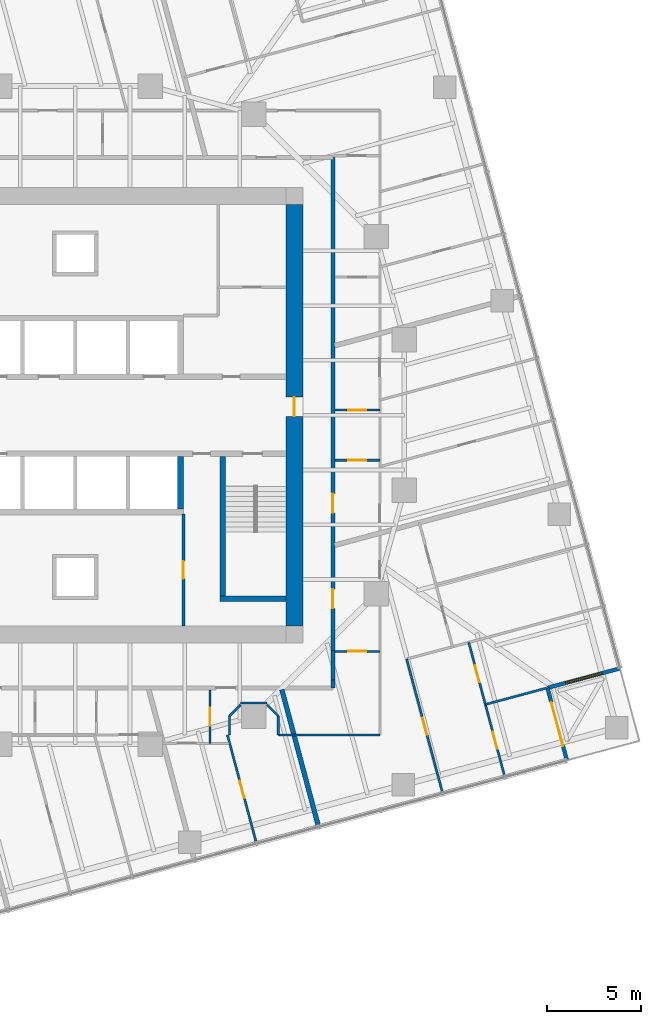
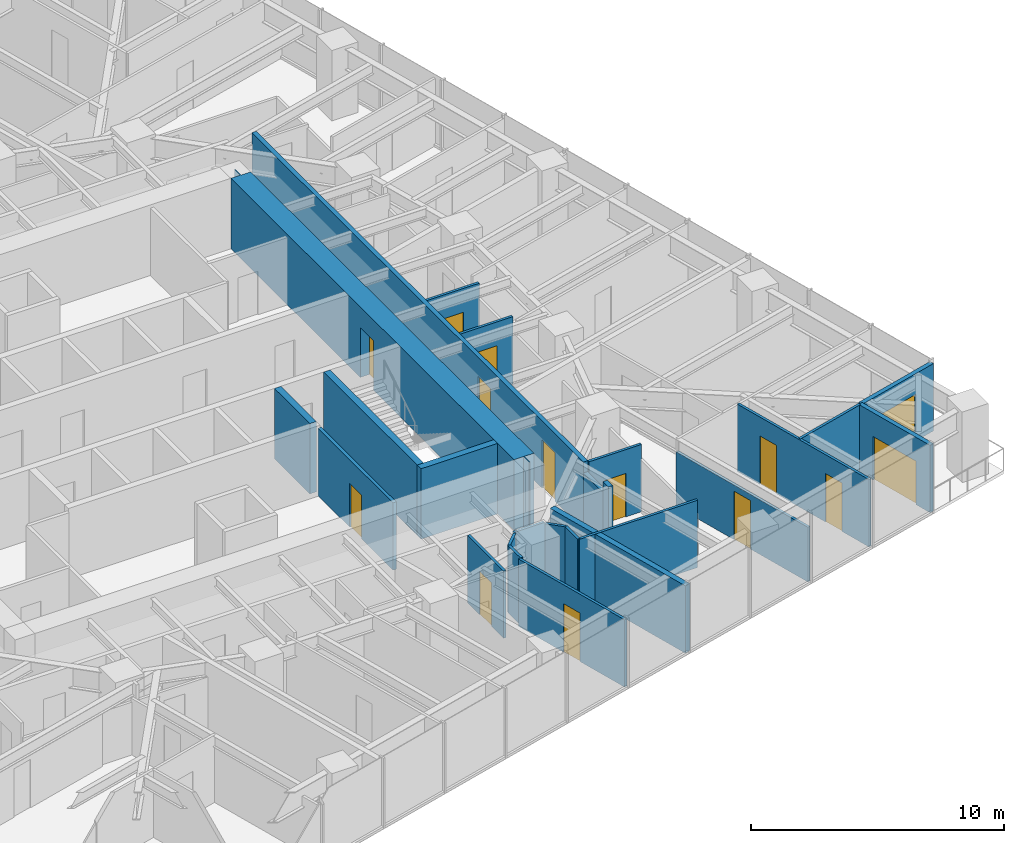
# One storey, part 10 of 14: 25 walls, 13 doors, 1 window, 14 openings.
"""IFC4 building model written with IfcOpenShell, lengths in metres."""

from ifc_helpers import new_model, si_unit, direction, frame, frame_2d, origin, place, context, subcontext, project, spatial, polyline, rectangle, outline, extrude, material, layer, layer_set, type_object, element, fill, save


model = new_model("IFC4")

# Units and contexts
model_context = context("Model", 3, precision=1e-05, world=origin(), true_north=direction((0.0, 1.0)))
body_context = subcontext(model_context, "Body", "Model", "MODEL_VIEW")
ifc_project = project(units=[si_unit("LENGTHUNIT", "METRE"), si_unit("AREAUNIT", "SQUARE_METRE"), si_unit("VOLUMEUNIT", "CUBIC_METRE"), si_unit("PLANEANGLEUNIT", "RADIAN"), si_unit("MASSUNIT", "GRAM", prefix="KILO")], contexts=[model_context])

# Site, building, storey
site_placement = place(None, origin())
site = spatial("IfcSite", under=ifc_project, at=site_placement, CompositionType="ELEMENT")
building_placement = place(site_placement, origin())
building = spatial("IfcBuilding", under=site, at=building_placement, Name="Torsade Residences", CompositionType="ELEMENT")
storey_placement = place(building_placement, frame((0.0, 0.0, 128.60009765625)))
storey = spatial("IfcBuildingStorey", under=building, at=storey_placement, Name="L35", CompositionType="ELEMENT", Elevation=128.60009765625)

# Walls
ifc_material_1 = material(Name="Concrete 80 MPa", Category="concrete")
ifc_layer_1 = layer(ifc_material_1, 0.300048828125)
ifc_layer_set_1 = layer_set([ifc_layer_1], Name="Concrete 80 MPa")
wall_type_1 = type_object("IfcWallType", Name="CORE INTERNAL WALL 300", PredefinedType="SHEAR", material=ifc_layer_set_1)
wall_1_placement = place(storey_placement, frame((45.60009765625, 27.800048828125, 0.0), z_axis=(0.0, 0.0, 1.0), x_axis=(0.0, -1.0, 0.0)))
element("IfcWall", 1, at=wall_1_placement, inside=storey, type_object=wall_type_1, Name="Core wall DS0 L35", PredefinedType="SHEAR", context=body_context, shape_type="SweptSolid", body=[
    extrude(rectangle(XDim=2.800048828125, YDim=0.300048828125, at=frame_2d((1.39990234375, 0.0))), origin(), (0.0, 0.0, 1.0), 3.39990234375),
])
wall_2_placement = place(storey_placement, frame((47.85009765625, 27.800048828125, 0.0), z_axis=(0.0, 0.0, 1.0), x_axis=(0.0, -1.0, 0.0)))
element("IfcWall", 2, at=wall_2_placement, inside=storey, type_object=wall_type_1, Name="Core wall ST2W L35", PredefinedType="SHEAR", context=body_context, shape_type="SweptSolid", body=[
    extrude(rectangle(XDim=7.699951171875, YDim=0.300048828125, at=frame_2d((3.85009765625, 0.0))), origin(), (0.0, 0.0, 1.0), 3.39990234375),
])
wall_3_placement = place(storey_placement, frame((51.199951171875, 20.25, 0.0), z_axis=(0.0, 0.0, 1.0), x_axis=(-1.0, 0.0, 0.0)))
element("IfcWall", 3, at=wall_3_placement, inside=storey, type_object=wall_type_1, Name="Core wall ST2S L35", PredefinedType="SHEAR", context=body_context, shape_type="SweptSolid", body=[
    extrude(rectangle(XDim=3.5, YDim=0.300048828125, at=frame_2d((1.75, 0.0))), origin(), (0.0, 0.0, 1.0), 3.39990234375),
])

# Wall, opening, door
ifc_material_2 = material(Name="Concrete 80 MPa", Category="concrete")
ifc_layer_2 = layer(ifc_material_2, 0.89990234375)
ifc_layer_set_2 = layer_set([ifc_layer_2], Name="Concrete 80 MPa")
wall_type_2 = type_object("IfcWallType", Name="CORE WALL 900", PredefinedType="SHEAR", material=ifc_layer_set_2)
wall_4_placement = place(storey_placement, frame((51.64990234375, 18.800048828125, 0.0), z_axis=(0.0, 0.0, 1.0), x_axis=(0.0, 1.0, 0.0)))
wall_4 = element("IfcWall", 4, at=wall_4_placement, inside=storey, type_object=wall_type_2, Name="Core wall E L35", PredefinedType="SHEAR", context=body_context, shape_type="SweptSolid", body=[
    extrude(outline(polyline([(0.0, -0.449951171875), (22.39990234375, -0.449951171875), (22.39990234375, -0.02490234375), (22.849853515625, -0.02490234375), (22.849853515625, 0.02490234375), (22.39990234375, 0.02490234375), (22.39990234375, 0.449951171875), (0.0, 0.449951171875), (0.0, 0.02490234375), (-0.449951171875, 0.02490234375), (-0.449951171875, -0.02490234375), (0.0, -0.02490234375), (0.0, -0.449951171875)])), origin(), (0.0, 0.0, 1.0), 3.39990234375),
])
opening_1_placement = place(wall_4_placement, frame((11.139892578125, 0.0, 0.0)))
opening_1 = element("IfcOpeningElement", 5, at=opening_1_placement, cuts=wall_4, Name="Opening D04", PredefinedType="OPENING", context=body_context, shape_type="SweptSolid", body=[
    extrude(rectangle(XDim=1.02001953125, YDim=2.39990234375, at=frame_2d((0.510009765625, 1.199951171875))), frame((0.0, 0.4599609375, 0.0), z_axis=(0.0, -1.0, 0.0), x_axis=(1.0, 0.0, 0.0)), (0.0, 0.0, 1.0), 0.919921875),
])
ifc_material_3 = material(Name="Steel-framed fire door", Category="steel")
door_type_1 = type_object("IfcDoorType", Name="LOBBY SMOKE DOOR 1020x2400", OperationType="NOTDEFINED", PredefinedType="DOOR", material=ifc_material_3)
door_1_placement = place(opening_1_placement, origin())
door_1 = element("IfcDoor", 6, at=door_1_placement, inside=storey, type_object=door_type_1, Name="Lift lobby door E L35", OperationType="SINGLE_SWING_LEFT", OverallHeight=2.39990234375, OverallWidth=1.02001953125, PredefinedType="DOOR", context=body_context, shape_type="SweptSolid", body=[
    extrude(rectangle(XDim=1.02001953125, YDim=2.39990234375, at=frame_2d((0.510009765625, 1.199951171875))), frame((0.0, 0.02490234375, 0.0), z_axis=(0.0, -1.0, 0.0), x_axis=(1.0, 0.0, 0.0)), (0.0, 0.0, 1.0), 0.050048828125),
])
fill(opening_1, door_1)

# Walls
ifc_material_4 = material(Name="Plasterboard on steel stud", Category="steel")
ifc_layer_3 = layer(ifc_material_4, 0.199951171875)
ifc_layer_set_3 = layer_set([ifc_layer_3], Name="Plasterboard on steel stud")
wall_type_3 = type_object("IfcWallType", Name="CORRIDOR WALL 200", PredefinedType="PARTITIONING", material=ifc_layer_set_3)
wall_5_placement = place(storey_placement, frame((53.699951171875, 15.5, 0.0), z_axis=(0.0, 0.0, 1.0), x_axis=(0.0, 1.0, 0.0)))
element("IfcWall", 7, at=wall_5_placement, inside=storey, type_object=wall_type_3, Name="Corridor wall L35", PredefinedType="PARTITIONING", context=body_context, shape_type="SweptSolid", body=[
    extrude(rectangle(XDim=0.426025390625, YDim=0.199951171875, at=frame_2d((0.212890625, 0.0))), origin(), (0.0, 0.0, 1.0), 3.25),
])
wall_6_placement = place(storey_placement, frame((53.699951171875, 15.926025390625, 0.0), z_axis=(0.0, 0.0, 1.0), x_axis=(0.0, 1.0, 0.0)))
element("IfcWall", 8, at=wall_6_placement, inside=storey, type_object=wall_type_3, Name="Corridor wall L35", PredefinedType="PARTITIONING", context=body_context, shape_type="SweptSolid", body=[
    extrude(rectangle(XDim=1.553955078125, YDim=0.199951171875, at=frame_2d((0.77685546875, 0.0))), origin(), (0.0, 0.0, 1.0), 2.721923828125),
])

# Wall, openings, doors
wall_7_placement = place(storey_placement, frame((53.699951171875, 17.47998046875, 0.0), z_axis=(0.0, 0.0, 1.0), x_axis=(0.0, 1.0, 0.0)))
wall_7 = element("IfcWall", 9, at=wall_7_placement, inside=storey, type_object=wall_type_3, Name="Corridor wall L35", PredefinedType="PARTITIONING", context=body_context, shape_type="SweptSolid", body=[
    extrude(rectangle(XDim=26.219970703125, YDim=0.199951171875, at=frame_2d((13.10986328125, 0.0))), origin(), (0.0, 0.0, 1.0), 3.25),
])
opening_2_placement = place(wall_7_placement, frame((2.251708984375, 0.0, 0.0)))
opening_2 = element("IfcOpeningElement", 10, at=opening_2_placement, cuts=wall_7, Name="Opening D01", PredefinedType="OPENING", context=body_context, shape_type="SweptSolid", body=[
    extrude(rectangle(XDim=1.02001953125, YDim=2.340087890625, at=frame_2d((0.510009765625, 1.169921875))), frame((0.0, 0.10986328125, 0.0), z_axis=(0.0, -1.0, 0.0), x_axis=(1.0, 0.0, 0.0)), (0.0, 0.0, 1.0), 0.219970703125),
])
opening_3_placement = place(wall_7_placement, frame((7.32763671875, 0.0, 0.0)))
opening_3 = element("IfcOpeningElement", 11, at=opening_3_placement, cuts=wall_7, Name="Opening D01", PredefinedType="OPENING", context=body_context, shape_type="SweptSolid", body=[
    extrude(rectangle(XDim=1.02001953125, YDim=2.340087890625, at=frame_2d((0.510009765625, 1.169921875))), frame((0.0, 0.10986328125, 0.0), z_axis=(0.0, -1.0, 0.0), x_axis=(1.0, 0.0, 0.0)), (0.0, 0.0, 1.0), 0.219970703125),
])
ifc_material_5 = material(Name="Solid-core timber fire door", Category="wood")
door_type_2 = type_object("IfcDoorType", Name="APARTMENT ENTRY DOOR 1020x2340", OperationType="NOTDEFINED", PredefinedType="DOOR", material=ifc_material_5)
door_2_placement = place(opening_2_placement, origin())
door_2 = element("IfcDoor", 12, at=door_2_placement, inside=storey, type_object=door_type_2, Name="Door Residential corridor to Kitchen and dining", OperationType="SINGLE_SWING_LEFT", OverallHeight=2.340087890625, OverallWidth=1.02001953125, PredefinedType="DOOR", context=body_context, shape_type="SweptSolid", body=[
    extrude(rectangle(XDim=1.02001953125, YDim=2.340087890625, at=frame_2d((0.510009765625, 1.169921875))), frame((0.0, 0.02490234375, 0.0), z_axis=(0.0, -1.0, 0.0), x_axis=(1.0, 0.0, 0.0)), (0.0, 0.0, 1.0), 0.050048828125),
])
fill(opening_2, door_2)
door_3_placement = place(opening_3_placement, origin())
door_3 = element("IfcDoor", 13, at=door_3_placement, inside=storey, type_object=door_type_2, Name="Door Residential corridor to Kitchen and dining", OperationType="SINGLE_SWING_LEFT", OverallHeight=2.340087890625, OverallWidth=1.02001953125, PredefinedType="DOOR", context=body_context, shape_type="SweptSolid", body=[
    extrude(rectangle(XDim=1.02001953125, YDim=2.340087890625, at=frame_2d((0.510009765625, 1.169921875))), frame((0.0, 0.02490234375, 0.0), z_axis=(0.0, -1.0, 0.0), x_axis=(1.0, 0.0, 0.0)), (0.0, 0.0, 1.0), 0.050048828125),
])
fill(opening_3, door_3)

# Wall, opening, door
ifc_material_6 = material(Name="Plasterboard on steel stud", Category="steel")
ifc_layer_4 = layer(ifc_material_6, 0.1201171875)
ifc_layer_set_4 = layer_set([ifc_layer_4], Name="Plasterboard on steel stud")
wall_type_4 = type_object("IfcWallType", Name="PARTITION 120", PredefinedType="PARTITIONING", material=ifc_layer_set_4)
wall_8_placement = place(storey_placement, frame((47.1669921875, 12.550048828125, 0.0), z_axis=(0.0, 0.0, 1.0), x_axis=(0.0, 1.0, 0.0)))
wall_8 = element("IfcWall", 14, at=wall_8_placement, inside=storey, type_object=wall_type_4, Name="Partition L35", PredefinedType="PARTITIONING", context=body_context, shape_type="SweptSolid", body=[
    extrude(rectangle(XDim=2.849853515625, YDim=0.1201171875, at=frame_2d((1.4248046875, 0.0))), origin(), (0.0, 0.0, 1.0), 3.25),
])
opening_4_placement = place(wall_8_placement, frame((0.945068359375, 0.0, 0.0)))
opening_4 = element("IfcOpeningElement", 15, at=opening_4_placement, cuts=wall_8, Name="Opening D05", PredefinedType="OPENING", context=body_context, shape_type="SweptSolid", body=[
    extrude(rectangle(XDim=0.9599609375, YDim=2.10009765625, at=frame_2d((0.47998046875, 1.050048828125))), frame((0.0, 0.070068359375, 0.0), z_axis=(0.0, -1.0, 0.0), x_axis=(1.0, 0.0, 0.0)), (0.0, 0.0, 1.0), 0.14013671875),
])
ifc_material_7 = material(Name="Hollow-core timber door in a steel cavity frame", Category="steel")
door_type_3 = type_object("IfcDoorType", Name="BATHROOM CAVITY SLIDING DOOR 960", OperationType="SLIDING_TO_LEFT", PredefinedType="DOOR", material=ifc_material_7)
door_4_placement = place(opening_4_placement, origin())
door_4 = element("IfcDoor", 16, at=door_4_placement, inside=storey, type_object=door_type_3, Name="Door Kitchen and dining to Bathroom", OperationType="SLIDING_TO_LEFT", OverallHeight=2.10009765625, OverallWidth=0.9599609375, PredefinedType="DOOR", context=body_context, shape_type="SweptSolid", body=[
    extrude(rectangle(XDim=0.9599609375, YDim=2.10009765625, at=frame_2d((0.47998046875, 1.050048828125))), frame((0.0, 0.02490234375, 0.0), z_axis=(0.0, -1.0, 0.0), x_axis=(1.0, 0.0, 0.0)), (0.0, 0.0, 1.0), 0.050048828125),
])
fill(opening_4, door_4)

# Walls
wall_9_placement = place(storey_placement, frame((56.199951171875, 13.0, 0.0), z_axis=(0.0, 0.0, 1.0), x_axis=(-1.0, 0.0, 0.0)))
element("IfcWall", 17, at=wall_9_placement, inside=storey, type_object=wall_type_4, Name="Partition L35", PredefinedType="PARTITIONING", context=body_context, shape_type="SweptSolid", body=[
    extrude(rectangle(XDim=5.39990234375, YDim=0.1201171875, at=frame_2d((2.699951171875, 0.0))), origin(), (0.0, 0.0, 1.0), 3.25),
])
wall_10_placement = place(storey_placement, frame((50.800048828125, 13.0, 0.0), z_axis=(0.0, 0.0, 1.0), x_axis=(0.0, 1.0, 0.0)))
element("IfcWall", 18, at=wall_10_placement, inside=storey, type_object=wall_type_4, Name="Partition L35", PredefinedType="PARTITIONING", context=body_context, shape_type="SweptSolid", body=[
    extrude(rectangle(XDim=1.0, YDim=0.1201171875, at=frame_2d((0.5, 0.0))), origin(), (0.0, 0.0, 1.0), 3.25),
])
wall_11_placement = place(storey_placement, frame((50.800048828125, 14.0, 0.0), z_axis=(0.0, 0.0, 1.0), x_axis=(-0.707106781187, 0.707106781187, 0.0)))
element("IfcWall", 19, at=wall_11_placement, inside=storey, type_object=wall_type_4, Name="Partition L35", PredefinedType="PARTITIONING", context=body_context, shape_type="SweptSolid", body=[
    extrude(rectangle(XDim=0.8486328125, YDim=0.1201171875, at=frame_2d((0.42431640625, 0.0))), origin(), (0.0, 0.0, 1.0), 3.25),
])
wall_12_placement = place(storey_placement, frame((50.199951171875, 14.699951171875, 0.0), z_axis=(0.0, 0.0, 1.0), x_axis=(-1.0, 0.0, 0.0)))
element("IfcWall", 20, at=wall_12_placement, inside=storey, type_object=wall_type_4, Name="Partition L35", PredefinedType="PARTITIONING", context=body_context, shape_type="SweptSolid", body=[
    extrude(rectangle(XDim=1.39990234375, YDim=0.1201171875, at=frame_2d((0.699951171875, 0.0))), origin(), (0.0, 0.0, 1.0), 3.25),
])
wall_13_placement = place(storey_placement, frame((48.800048828125, 14.60009765625, 0.0), z_axis=(0.0, 0.0, 1.0), x_axis=(-0.707106781187, -0.707106781187, 0.0)))
element("IfcWall", 21, at=wall_13_placement, inside=storey, type_object=wall_type_4, Name="Partition L35", PredefinedType="PARTITIONING", context=body_context, shape_type="SweptSolid", body=[
    extrude(rectangle(XDim=0.8486328125, YDim=0.1201171875, at=frame_2d((0.42431640625, 0.0))), origin(), (0.0, 0.0, 1.0), 3.25),
])
wall_14_placement = place(storey_placement, frame((48.199951171875, 14.0, 0.0), z_axis=(0.0, 0.0, 1.0), x_axis=(0.0, -1.0, 0.0)))
element("IfcWall", 22, at=wall_14_placement, inside=storey, type_object=wall_type_4, Name="Partition L35", PredefinedType="PARTITIONING", context=body_context, shape_type="SweptSolid", body=[
    extrude(rectangle(XDim=1.0, YDim=0.1201171875, at=frame_2d((0.5, 0.0))), origin(), (0.0, 0.0, 1.0), 3.25),
])

# Wall, opening, door
wall_15_placement = place(storey_placement, frame((48.09228515625, 13.0, 0.0), z_axis=(0.0, 0.0, 1.0), x_axis=(0.258812722515, -0.965927520399, 0.0)))
wall_15 = element("IfcWall", 23, at=wall_15_placement, inside=storey, type_object=wall_type_4, Name="Partition L35", PredefinedType="PARTITIONING", context=body_context, shape_type="SweptSolid", body=[
    extrude(rectangle(XDim=5.94482421875, YDim=0.1201171875, at=frame_2d((2.972412109375, 0.0))), origin(), (0.0, 0.0, 1.0), 3.25),
])
opening_5_placement = place(wall_15_placement, frame((2.532470703125, 0.0, 0.0)))
opening_5 = element("IfcOpeningElement", 24, at=opening_5_placement, cuts=wall_15, Name="Opening D02", PredefinedType="OPENING", context=body_context, shape_type="SweptSolid", body=[
    extrude(rectangle(XDim=0.919921875, YDim=2.340087890625, at=frame_2d((0.4599609375, 1.169921875))), frame((0.0, 0.070068359375, 0.0), z_axis=(0.0, -1.0, 0.0), x_axis=(1.0, 0.0, 0.0)), (0.0, 0.0, 1.0), 0.14013671875),
])
ifc_material_8 = material(Name="Hollow-core timber door", Category="wood")
door_type_4 = type_object("IfcDoorType", Name="INTERNAL DOOR 920x2340", OperationType="NOTDEFINED", PredefinedType="DOOR", material=ifc_material_8)
door_5_placement = place(opening_5_placement, origin())
door_5 = element("IfcDoor", 25, at=door_5_placement, inside=storey, type_object=door_type_4, Name="Door Living room to Bedroom 1", OperationType="SINGLE_SWING_LEFT", OverallHeight=2.340087890625, OverallWidth=0.919921875, PredefinedType="DOOR", context=body_context, shape_type="SweptSolid", body=[
    extrude(rectangle(XDim=0.919921875, YDim=2.340087890625, at=frame_2d((0.4599609375, 1.169921875))), frame((0.0, 0.02490234375, 0.0), z_axis=(0.0, -1.0, 0.0), x_axis=(1.0, 0.0, 0.0)), (0.0, 0.0, 1.0), 0.050048828125),
])
fill(opening_5, door_5)

wall_16_placement = place(storey_placement, frame((56.199951171875, 17.441650390625, 0.0), z_axis=(0.0, 0.0, 1.0), x_axis=(-1.0, 0.0, 0.0)))
wall_16 = element("IfcWall", 26, at=wall_16_placement, inside=storey, type_object=wall_type_4, Name="Partition L35", PredefinedType="PARTITIONING", context=body_context, shape_type="SweptSolid", body=[
    extrude(rectangle(XDim=2.39990234375, YDim=0.1201171875, at=frame_2d((1.199951171875, 0.0))), origin(), (0.0, 0.0, 1.0), 3.25),
])
opening_6_placement = place(wall_16_placement, frame((0.719970703125, 0.0, 0.0)))
opening_6 = element("IfcOpeningElement", 27, at=opening_6_placement, cuts=wall_16, Name="Opening D05", PredefinedType="OPENING", context=body_context, shape_type="SweptSolid", body=[
    extrude(rectangle(XDim=0.9599609375, YDim=2.10009765625, at=frame_2d((0.47998046875, 1.050048828125))), frame((0.0, 0.070068359375, 0.0), z_axis=(0.0, -1.0, 0.0), x_axis=(1.0, 0.0, 0.0)), (0.0, 0.0, 1.0), 0.14013671875),
])
door_6_placement = place(opening_6_placement, origin())
door_6 = element("IfcDoor", 28, at=door_6_placement, inside=storey, type_object=door_type_3, Name="Door Kitchen and dining to Bathroom", OperationType="SLIDING_TO_LEFT", OverallHeight=2.10009765625, OverallWidth=0.9599609375, PredefinedType="DOOR", context=body_context, shape_type="SweptSolid", body=[
    extrude(rectangle(XDim=0.9599609375, YDim=2.10009765625, at=frame_2d((0.47998046875, 1.050048828125))), frame((0.0, 0.02490234375, 0.0), z_axis=(0.0, -1.0, 0.0), x_axis=(1.0, 0.0, 0.0)), (0.0, 0.0, 1.0), 0.050048828125),
])
fill(opening_6, door_6)

wall_17_placement = place(storey_placement, frame((57.62255859375, 17.035888671875, 0.0), z_axis=(0.0, 0.0, 1.0), x_axis=(0.258816044185, -0.965926630377, 0.0)))
wall_17 = element("IfcWall", 29, at=wall_17_placement, inside=storey, type_object=wall_type_4, Name="Partition L35", PredefinedType="PARTITIONING", context=body_context, shape_type="SweptSolid", body=[
    extrude(rectangle(XDim=7.376708984375, YDim=0.1201171875, at=frame_2d((3.6884765625, 0.0))), origin(), (0.0, 0.0, 1.0), 2.637939453125),
])
opening_7_placement = place(wall_17_placement, frame((3.248291015625, 0.0, 0.0)))
opening_7 = element("IfcOpeningElement", 30, at=opening_7_placement, cuts=wall_17, Name="Opening D02", PredefinedType="OPENING", context=body_context, shape_type="SweptSolid", body=[
    extrude(rectangle(XDim=0.919921875, YDim=2.340087890625, at=frame_2d((0.4599609375, 1.169921875))), frame((0.0, 0.070068359375, 0.0), z_axis=(0.0, -1.0, 0.0), x_axis=(1.0, 0.0, 0.0)), (0.0, 0.0, 1.0), 0.14013671875),
])
door_7_placement = place(opening_7_placement, origin())
door_7 = element("IfcDoor", 31, at=door_7_placement, inside=storey, type_object=door_type_4, Name="Door Living room to Bedroom 3", OperationType="SINGLE_SWING_RIGHT", OverallHeight=2.340087890625, OverallWidth=0.919921875, PredefinedType="DOOR", context=body_context, shape_type="SweptSolid", body=[
    extrude(rectangle(XDim=0.919921875, YDim=2.340087890625, at=frame_2d((0.4599609375, 1.169921875))), frame((0.0, 0.02490234375, 0.0), z_axis=(0.0, -1.0, 0.0), x_axis=(1.0, 0.0, 0.0)), (0.0, 0.0, 1.0), 0.050048828125),
])
fill(opening_7, door_7)

# Wall, openings, doors
wall_18_placement = place(storey_placement, frame((60.922607421875, 17.920166015625, 0.0), z_axis=(0.0, 0.0, 1.0), x_axis=(0.258846923464, -0.965918355874, 0.0)))
wall_18 = element("IfcWall", 32, at=wall_18_placement, inside=storey, type_object=wall_type_4, Name="Partition L35", PredefinedType="PARTITIONING", context=body_context, shape_type="SweptSolid", body=[
    extrude(rectangle(XDim=7.376708984375, YDim=0.1201171875, at=frame_2d((3.6884765625, 0.0))), origin(), (0.0, 0.0, 1.0), 3.25),
])
opening_8_placement = place(wall_18_placement, frame((4.931640625, 0.0, 0.0)))
opening_8 = element("IfcOpeningElement", 33, at=opening_8_placement, cuts=wall_18, Name="Opening D02", PredefinedType="OPENING", context=body_context, shape_type="SweptSolid", body=[
    extrude(rectangle(XDim=0.919921875, YDim=2.340087890625, at=frame_2d((0.4599609375, 1.169921875))), frame((0.0, 0.070068359375, 0.0), z_axis=(0.0, -1.0, 0.0), x_axis=(1.0, 0.0, 0.0)), (0.0, 0.0, 1.0), 0.14013671875),
])
opening_9_placement = place(wall_18_placement, frame((1.2734375, 0.0, 0.0)))
opening_9 = element("IfcOpeningElement", 34, at=opening_9_placement, cuts=wall_18, Name="Opening D02", PredefinedType="OPENING", context=body_context, shape_type="SweptSolid", body=[
    extrude(rectangle(XDim=0.919921875, YDim=2.340087890625, at=frame_2d((0.4599609375, 1.169921875))), frame((0.0, 0.070068359375, 0.0), z_axis=(0.0, -1.0, 0.0), x_axis=(1.0, 0.0, 0.0)), (0.0, 0.0, 1.0), 0.14013671875),
])
door_8_placement = place(opening_8_placement, origin())
door_8 = element("IfcDoor", 35, at=door_8_placement, inside=storey, type_object=door_type_4, Name="Door Bedroom 3 to Family room", OperationType="SINGLE_SWING_LEFT", OverallHeight=2.340087890625, OverallWidth=0.919921875, PredefinedType="DOOR", context=body_context, shape_type="SweptSolid", body=[
    extrude(rectangle(XDim=0.919921875, YDim=2.340087890625, at=frame_2d((0.4599609375, 1.169921875))), frame((0.0, 0.02490234375, 0.0), z_axis=(0.0, -1.0, 0.0), x_axis=(1.0, 0.0, 0.0)), (0.0, 0.0, 1.0), 0.050048828125),
])
fill(opening_8, door_8)
door_9_placement = place(opening_9_placement, origin())
door_9 = element("IfcDoor", 36, at=door_9_placement, inside=storey, type_object=door_type_4, Name="Door Bedroom 3 to Study", OperationType="SINGLE_SWING_RIGHT", OverallHeight=2.340087890625, OverallWidth=0.919921875, PredefinedType="DOOR", context=body_context, shape_type="SweptSolid", body=[
    extrude(rectangle(XDim=0.919921875, YDim=2.340087890625, at=frame_2d((0.4599609375, 1.169921875))), frame((0.0, 0.02490234375, 0.0), z_axis=(0.0, -1.0, 0.0), x_axis=(1.0, 0.0, 0.0)), (0.0, 0.0, 1.0), 0.050048828125),
])
fill(opening_9, door_9)

# Wall
wall_19_placement = place(storey_placement, frame((65.068603515625, 15.493896484375, 0.0), z_axis=(0.0, 0.0, 1.0), x_axis=(-0.96593546512, -0.258783069815, 0.0)))
element("IfcWall", 37, at=wall_19_placement, inside=storey, type_object=wall_type_4, Name="Partition L35", PredefinedType="PARTITIONING", context=body_context, shape_type="SweptSolid", body=[
    extrude(rectangle(XDim=3.37646484375, YDim=0.1201171875, at=frame_2d((1.688232421875, 0.0))), origin(), (0.0, 0.0, 1.0), 3.25),
])

# Wall, opening, door
wall_20_placement = place(storey_placement, frame((53.800048828125, 27.611083984375, 0.0), z_axis=(0.0, 0.0, 1.0), x_axis=(1.0, 0.0, 0.0)))
wall_20 = element("IfcWall", 38, at=wall_20_placement, inside=storey, type_object=wall_type_4, Name="Partition L35", PredefinedType="PARTITIONING", context=body_context, shape_type="SweptSolid", body=[
    extrude(rectangle(XDim=2.39990234375, YDim=0.1201171875, at=frame_2d((1.199951171875, 0.0))), origin(), (0.0, 0.0, 1.0), 3.25),
])
opening_10_placement = place(wall_20_placement, frame((0.719970703125, 0.0, 0.0)))
opening_10 = element("IfcOpeningElement", 39, at=opening_10_placement, cuts=wall_20, Name="Opening D05", PredefinedType="OPENING", context=body_context, shape_type="SweptSolid", body=[
    extrude(rectangle(XDim=0.9599609375, YDim=2.10009765625, at=frame_2d((0.47998046875, 1.050048828125))), frame((0.0, 0.070068359375, 0.0), z_axis=(0.0, -1.0, 0.0), x_axis=(1.0, 0.0, 0.0)), (0.0, 0.0, 1.0), 0.14013671875),
])
door_10_placement = place(opening_10_placement, origin())
door_10 = element("IfcDoor", 40, at=door_10_placement, inside=storey, type_object=door_type_3, Name="Door Kitchen and dining to Ensuite", OperationType="SLIDING_TO_LEFT", OverallHeight=2.10009765625, OverallWidth=0.9599609375, PredefinedType="DOOR", context=body_context, shape_type="SweptSolid", body=[
    extrude(rectangle(XDim=0.9599609375, YDim=2.10009765625, at=frame_2d((0.47998046875, 1.050048828125))), frame((0.0, 0.02490234375, 0.0), z_axis=(0.0, -1.0, 0.0), x_axis=(1.0, 0.0, 0.0)), (0.0, 0.0, 1.0), 0.050048828125),
])
fill(opening_10, door_10)

wall_21_placement = place(storey_placement, frame((56.199951171875, 30.272216796875, 0.0), z_axis=(0.0, 0.0, 1.0), x_axis=(-1.0, 0.0, 0.0)))
wall_21 = element("IfcWall", 41, at=wall_21_placement, inside=storey, type_object=wall_type_4, Name="Partition L35", PredefinedType="PARTITIONING", context=body_context, shape_type="SweptSolid", body=[
    extrude(rectangle(XDim=2.39990234375, YDim=0.1201171875, at=frame_2d((1.199951171875, 0.0))), origin(), (0.0, 0.0, 1.0), 3.25),
])
opening_11_placement = place(wall_21_placement, frame((0.719970703125, 0.0, 0.0)))
opening_11 = element("IfcOpeningElement", 42, at=opening_11_placement, cuts=wall_21, Name="Opening D05", PredefinedType="OPENING", context=body_context, shape_type="SweptSolid", body=[
    extrude(rectangle(XDim=0.9599609375, YDim=2.10009765625, at=frame_2d((0.47998046875, 1.050048828125))), frame((0.0, 0.070068359375, 0.0), z_axis=(0.0, -1.0, 0.0), x_axis=(1.0, 0.0, 0.0)), (0.0, 0.0, 1.0), 0.14013671875),
])
door_11_placement = place(opening_11_placement, origin())
door_11 = element("IfcDoor", 43, at=door_11_placement, inside=storey, type_object=door_type_3, Name="Door Ensuite to Bathroom", OperationType="SLIDING_TO_LEFT", OverallHeight=2.10009765625, OverallWidth=0.9599609375, PredefinedType="DOOR", context=body_context, shape_type="SweptSolid", body=[
    extrude(rectangle(XDim=0.9599609375, YDim=2.10009765625, at=frame_2d((0.47998046875, 1.050048828125))), frame((0.0, 0.02490234375, 0.0), z_axis=(0.0, -1.0, 0.0), x_axis=(1.0, 0.0, 0.0)), (0.0, 0.0, 1.0), 0.050048828125),
])
fill(opening_11, door_11)

# Wall
ifc_material_9 = material(Name="Masonry-lined stud party wall", Category="masonry")
ifc_layer_5 = layer(ifc_material_9, 0.25)
ifc_layer_set_5 = layer_set([ifc_layer_5], Name="Masonry-lined stud party wall")
wall_type_5 = type_object("IfcWallType", Name="PARTY WALL 250", PredefinedType="PARTITIONING", material=ifc_layer_set_5)
wall_22_placement = place(storey_placement, frame((52.941650390625, 8.103515625, 0.0), z_axis=(0.0, 0.0, 1.0), x_axis=(-0.258822171171, 0.965924988656, 0.0)))
element("IfcWall", 44, at=wall_22_placement, inside=storey, type_object=wall_type_5, Name="Party wall L35", PredefinedType="PARTITIONING", context=body_context, shape_type="SweptSolid", body=[
    extrude(rectangle(XDim=7.560302734375, YDim=0.25, at=frame_2d((3.7802734375, 0.0))), origin(), (0.0, 0.0, 1.0), 3.25),
])

# Wall, opening, door
ifc_material_10 = material(Name="Reinforced blockwork", Category="masonry")
ifc_layer_6 = layer(ifc_material_10, 0.14990234375)
ifc_layer_set_6 = layer_set([ifc_layer_6], Name="Reinforced blockwork")
wall_type_6 = type_object("IfcWallType", Name="SERVICE ROOM WALL 150", PredefinedType="SOLIDWALL", material=ifc_layer_set_6)
wall_23_placement = place(storey_placement, frame((45.75, 18.800048828125, 0.0), z_axis=(0.0, 0.0, 1.0), x_axis=(0.0, 1.0, 0.0)))
wall_23 = element("IfcWall", 45, at=wall_23_placement, inside=storey, type_object=wall_type_6, Name="Service room wall L35", PredefinedType="SOLIDWALL", context=body_context, shape_type="SweptSolid", body=[
    extrude(rectangle(XDim=5.949951171875, YDim=0.14990234375, at=frame_2d((2.97509765625, 0.0))), origin(), (0.0, 0.0, 1.0), 3.25),
])
opening_12_placement = place(wall_23_placement, frame((2.514892578125, 0.0, 0.0)))
opening_12 = element("IfcOpeningElement", 46, at=opening_12_placement, cuts=wall_23, Name="Opening D06", PredefinedType="OPENING", context=body_context, shape_type="SweptSolid", body=[
    extrude(rectangle(XDim=0.919921875, YDim=2.10009765625, at=frame_2d((0.4599609375, 1.050048828125))), frame((0.0, 0.0849609375, 0.0), z_axis=(0.0, -1.0, 0.0), x_axis=(1.0, 0.0, 0.0)), (0.0, 0.0, 1.0), 0.169921875),
])
ifc_material_11 = material(Name="Steel-framed fire door", Category="steel")
door_type_5 = type_object("IfcDoorType", Name="FIRE DOOR 920", OperationType="NOTDEFINED", PredefinedType="DOOR", material=ifc_material_11)
door_12_placement = place(opening_12_placement, origin())
door_12 = element("IfcDoor", 47, at=door_12_placement, inside=storey, type_object=door_type_5, Name="Door Security and data store to Communications riser room", OperationType="SINGLE_SWING_RIGHT", OverallHeight=2.10009765625, OverallWidth=0.919921875, PredefinedType="DOOR", context=body_context, shape_type="SweptSolid", body=[
    extrude(rectangle(XDim=0.919921875, YDim=2.10009765625, at=frame_2d((0.4599609375, 1.050048828125))), frame((0.0, 0.02490234375, 0.0), z_axis=(0.0, -1.0, 0.0), x_axis=(1.0, 0.0, 0.0)), (0.0, 0.0, 1.0), 0.050048828125),
])
fill(opening_12, door_12)

ifc_material_12 = material(Name="Stone-faced precast concrete 40 MPa panel", Category="masonry")
ifc_layer_7 = layer(ifc_material_12, 0.199951171875)
ifc_layer_set_7 = layer_set([ifc_layer_7], Name="Stone-faced precast concrete 40 MPa panel")
wall_type_7 = type_object("IfcWallType", Name="TERRACE WALL 200", PredefinedType="SOLIDWALL", material=ifc_layer_set_7)
wall_24_placement = place(storey_placement, frame((66.142578125, 11.640625, 0.0), z_axis=(0.0, 0.0, 1.0), x_axis=(-0.258843877716, 0.965919172068, 0.0)))
wall_24 = element("IfcWall", 48, at=wall_24_placement, inside=storey, type_object=wall_type_7, Name="Terrace wall L35 2", PredefinedType="SOLIDWALL", context=body_context, shape_type="SweptSolid", body=[
    extrude(rectangle(XDim=4.0, YDim=0.199951171875, at=frame_2d((2.0, 0.0))), origin(), (0.0, 0.0, 1.0), 3.25),
])
opening_13_placement = place(wall_24_placement, frame((0.800048828125, 0.0, 0.0)))
opening_13 = element("IfcOpeningElement", 49, at=opening_13_placement, cuts=wall_24, Name="Opening D10A", PredefinedType="OPENING", context=body_context, shape_type="SweptSolid", body=[
    extrude(rectangle(XDim=2.39990234375, YDim=2.10009765625, at=frame_2d((1.199951171875, 1.050048828125))), frame((0.0, 0.10986328125, 0.0), z_axis=(0.0, -1.0, 0.0), x_axis=(1.0, 0.0, 0.0)), (0.0, 0.0, 1.0), 0.219970703125),
])
ifc_material_13 = material(Name="Aluminium-framed glass door", Category="aluminium")
door_type_6 = type_object("IfcDoorType", Name="TERRACE SLIDING DOOR 2400x2100", OperationType="SLIDING_TO_LEFT", PredefinedType="DOOR", material=ifc_material_13)
door_13_placement = place(opening_13_placement, origin())
door_13 = element("IfcDoor", 50, at=door_13_placement, inside=storey, type_object=door_type_6, Name="Terrace door L35 2", OperationType="SLIDING_TO_LEFT", OverallHeight=2.10009765625, OverallWidth=2.39990234375, PredefinedType="DOOR", context=body_context, shape_type="SweptSolid", body=[
    extrude(rectangle(XDim=2.39990234375, YDim=2.10009765625, at=frame_2d((1.199951171875, 1.050048828125))), frame((0.0, 0.02490234375, 0.0), z_axis=(0.0, -1.0, 0.0), x_axis=(1.0, 0.0, 0.0)), (0.0, 0.0, 1.0), 0.050048828125),
])
fill(opening_13, door_13)

# Wall, opening, window
wall_25_placement = place(storey_placement, frame((65.107177734375, 15.50439453125, 0.0), z_axis=(0.0, 0.0, 1.0), x_axis=(0.965934430412, 0.258786931944, 0.0)))
wall_25 = element("IfcWall", 51, at=wall_25_placement, inside=storey, type_object=wall_type_7, Name="Terrace wall L35 3", PredefinedType="SOLIDWALL", context=body_context, shape_type="SweptSolid", body=[
    extrude(rectangle(XDim=4.0, YDim=0.199951171875, at=frame_2d((2.0, 0.0))), origin(), (0.0, 0.0, 1.0), 3.25),
])
opening_14_placement = place(wall_25_placement, frame((1.0, 0.0, 0.449951171875)))
opening_14 = element("IfcOpeningElement", 52, at=opening_14_placement, cuts=wall_25, Name="Opening W1B", PredefinedType="OPENING", context=body_context, shape_type="SweptSolid", body=[
    extrude(rectangle(XDim=2.0, YDim=1.800048828125, at=frame_2d((1.0, 0.89990234375))), frame((0.0, 0.10986328125, 0.0), z_axis=(0.0, -1.0, 0.0), x_axis=(1.0, 0.0, 0.0)), (0.0, 0.0, 1.0), 0.219970703125),
])
ifc_material_14 = material(Name="Aluminium-framed glass window", Category="aluminium")
window_type = type_object("IfcWindowType", Name="TERRACE WINDOW 2000x1800", PartitioningType="SINGLE_PANEL", PredefinedType="WINDOW", material=ifc_material_14)
window_placement = place(opening_14_placement, origin())
window = element("IfcWindow", 53, at=window_placement, inside=storey, type_object=window_type, Name="Terrace window L35 3", OverallHeight=1.800048828125, OverallWidth=2.0, PartitioningType="SINGLE_PANEL", PredefinedType="WINDOW", context=body_context, shape_type="SweptSolid", body=[
    extrude(rectangle(XDim=2.0, YDim=1.800048828125, at=frame_2d((1.0, 0.89990234375))), frame((0.0, 0.030029296875, 0.0), z_axis=(0.0, -1.0, 0.0), x_axis=(1.0, 0.0, 0.0)), (0.0, 0.0, 1.0), 0.06005859375),
])
fill(opening_14, window)

save(model, "model.ifc")
